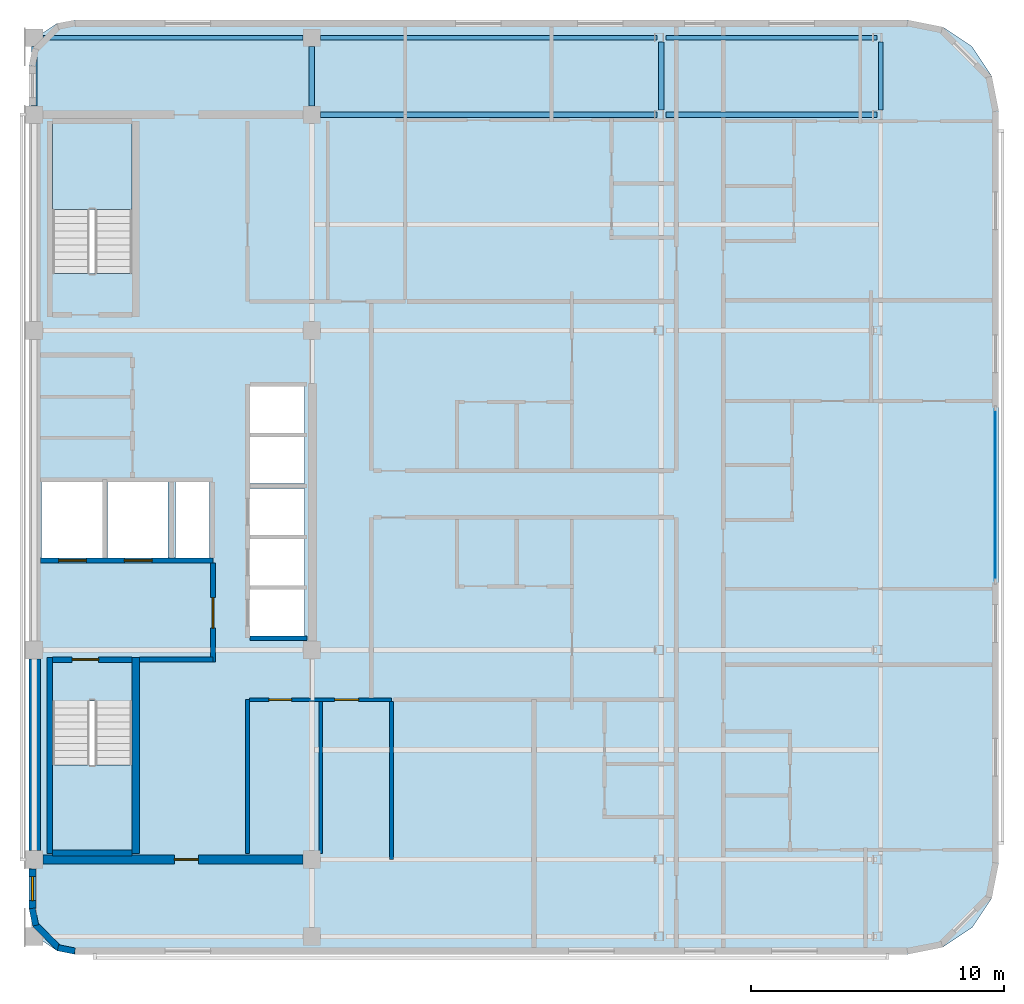
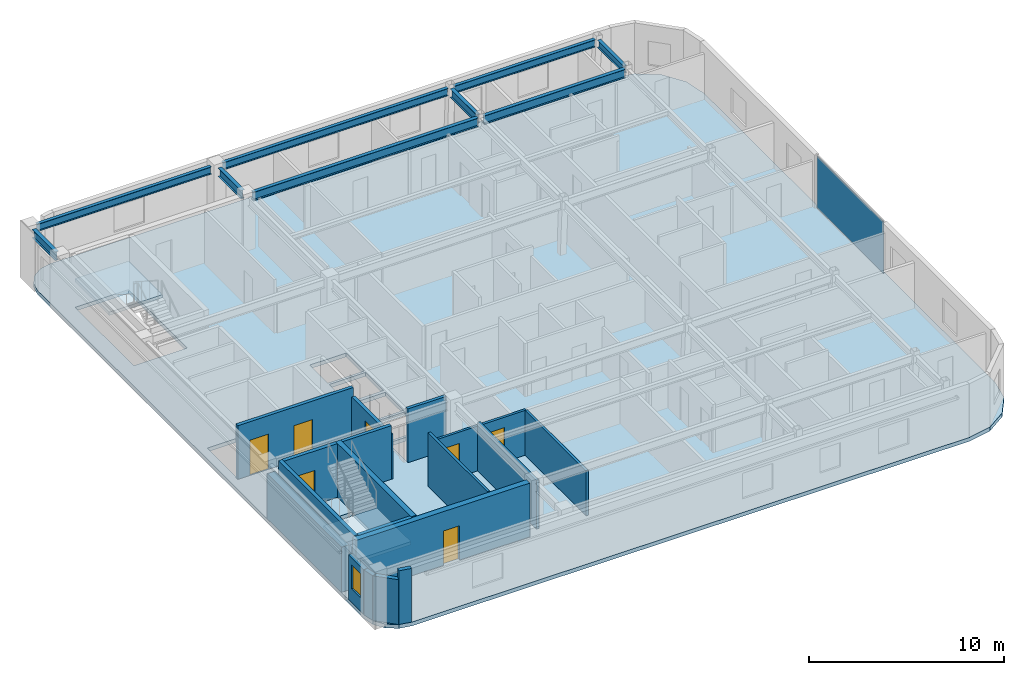
# One storey, part 3 of 10: 18 walls, 9 beams, 7 doors, 3 slabs, 1 plate, 1 window, 8 openings, 3 elements without a shape of their own.
"""IFC4 building model written with IfcOpenShell, lengths in metres."""

import ifcopenshell
import ifcopenshell.guid

model = None  # the IFC model being written
_history = None  # IfcOwnerHistory: only IFC2X3 demands one
_inside = {}  # id of a spatial element -> (the spatial element, [elements in it])
_under = {}  # id of a project, library or spatial element -> (it, [spatial elements below it])
_declared = {}  # id of a project -> (the project, [libraries it declares])
_typed = {}  # id of a type object -> (the type object, [elements of that type])
_made_of = {}  # id of a material, layer set ... -> (it, [elements and type objects made of it])


def new_model(schema):
    """Start an empty IFC model of exactly this schema.

    Asked for "IFC4X3", IfcOpenShell would pick the latest addendum, in which some entities
    have other attributes; the version numbers below select the first issue.
    IFC2X3 requires an IfcOwnerHistory on every rooted entity: one is made here for all.
    """
    global model, _history
    if schema == "IFC4X3":
        model = ifcopenshell.file(schema_version=(4, 3, 0, 0))
    else:
        model = ifcopenshell.file(schema=schema)
    _inside.clear()
    _under.clear()
    _declared.clear()
    _typed.clear()
    _made_of.clear()
    _history = None
    if model.schema == "IFC2X3":
        org = make("IfcOrganization", Name="unknown")
        user = make(
            "IfcPersonAndOrganization",
            ThePerson=make("IfcPerson", FamilyName="unknown"),
            TheOrganization=org,
        )
        app = make(
            "IfcApplication",
            ApplicationDeveloper=org,
            Version="unknown",
            ApplicationFullName="unknown",
            ApplicationIdentifier="unknown",
        )
        _history = make(
            "IfcOwnerHistory",
            OwningUser=user,
            OwningApplication=app,
            ChangeAction="ADDED",
            CreationDate=0,
        )
    return model


def make(cls, **values):
    """One entity of the class cls with the attributes given. An attribute that is None is left unset."""
    return model.create_entity(
        cls, **{name: value for name, value in values.items() if value is not None}
    )


def rooted(cls, **values):
    """An entity with a GlobalId (a new one), such as an element, a storey or a relation."""
    return make(cls, GlobalId=ifcopenshell.guid.new(), OwnerHistory=_history, **values)


def si_unit(unit_type, name, prefix=None):
    """IfcSIUnit, for example si_unit("LENGTHUNIT", "METRE", prefix="MILLI")."""
    return make("IfcSIUnit", UnitType=unit_type, Prefix=prefix, Name=name)


def assignment(units):
    """IfcUnitAssignment: the units of a project."""
    return None if units is None else make("IfcUnitAssignment", Units=units)


def point(xyz):
    """IfcCartesianPoint."""
    return None if xyz is None else make("IfcCartesianPoint", Coordinates=xyz)


def direction(xyz):
    """IfcDirection."""
    return None if xyz is None else make("IfcDirection", DirectionRatios=xyz)


def frame(location, z_axis=None, x_axis=None):
    """IfcAxis2Placement3D, a coordinate frame: its origin and axes. An axis left out is left unset."""
    return make(
        "IfcAxis2Placement3D",
        Location=point(location),
        Axis=direction(z_axis),
        RefDirection=direction(x_axis),
    )


def frame_2d(location, x_axis=None):
    """IfcAxis2Placement2D, a coordinate frame in the plane: its origin and x axis."""
    return make(
        "IfcAxis2Placement2D", Location=point(location), RefDirection=direction(x_axis)
    )


def origin():
    """The frame at (0, 0, 0) with its axes left unset."""
    return frame((0.0, 0.0, 0.0))


def origin_2d():
    """The frame at (0, 0) in the plane with its x axis left unset."""
    return frame_2d((0.0, 0.0))


def place(relative_to, where):
    """IfcLocalPlacement: puts the frame where relative to a parent placement (None: the world)."""
    return make(
        "IfcLocalPlacement", PlacementRelTo=relative_to, RelativePlacement=where
    )


def context(
    kind, dimensions, precision=None, world=None, true_north=None, identifier=None
):
    """IfcGeometricRepresentationContext, for example the 3D "Model" context."""
    return make(
        "IfcGeometricRepresentationContext",
        ContextIdentifier=identifier,
        ContextType=kind,
        CoordinateSpaceDimension=dimensions,
        Precision=precision,
        WorldCoordinateSystem=world,
        TrueNorth=true_north,
    )


def subcontext(parent, identifier, kind, view, scale=None):
    """IfcGeometricRepresentationSubContext, for example "Body" below "Model"."""
    return make(
        "IfcGeometricRepresentationSubContext",
        ContextIdentifier=identifier,
        ContextType=kind,
        ParentContext=parent,
        TargetScale=scale,
        TargetView=view,
    )


def project(units=None, contexts=None):
    """IfcProject with its units and contexts."""
    return rooted(
        "IfcProject",
        Name="project",
        RepresentationContexts=contexts,
        UnitsInContext=assignment(units),
    )


def spatial(cls, under=None, at=None, **own):
    """A site, building, storey or space (cls), placed at a placement, below another one or the project."""
    s = rooted(cls, ObjectPlacement=at, **own)
    if under is not None:
        _under.setdefault(under.id(), (under, []))[1].append(s)
    return s


def polyline(points):
    """IfcPolyline through the points."""
    return make("IfcPolyline", Points=[point(p) for p in points])


def profile(cls, at=None, kind="AREA", **sizes):
    """A parametric profile (cls). Its sizes go by their IFC names, for example OverallWidth=200.0."""
    return make(cls, ProfileType=kind, Position=at, **sizes)


def rectangle(**sizes):
    """IfcRectangleProfileDef."""
    return profile("IfcRectangleProfileDef", **sizes)


def i_section(**sizes):
    """IfcIShapeProfileDef."""
    return profile("IfcIShapeProfileDef", **sizes)


def outline(outer, holes=None, kind="AREA"):
    """IfcArbitraryClosedProfileDef: a profile drawn as a closed curve; with holes, ...WithVoids."""
    if holes is None:
        return make("IfcArbitraryClosedProfileDef", ProfileType=kind, OuterCurve=outer)
    return make(
        "IfcArbitraryProfileDefWithVoids",
        ProfileType=kind,
        OuterCurve=outer,
        InnerCurves=holes,
    )


def extrude(swept, where, along, depth):
    """IfcExtrudedAreaSolid: the profile swept, set in the frame where, extruded along a direction by depth."""
    return make(
        "IfcExtrudedAreaSolid",
        SweptArea=swept,
        Position=where,
        ExtrudedDirection=direction(along),
        Depth=depth,
    )


def shape(context_of_items, identifier, shape_type, items):
    """IfcShapeRepresentation: the items that make up one representation, for example the "Body"."""
    return make(
        "IfcShapeRepresentation",
        ContextOfItems=context_of_items,
        RepresentationIdentifier=identifier,
        RepresentationType=shape_type,
        Items=items,
    )


def material(Name=None, Category=None):
    """IfcMaterial."""
    return make("IfcMaterial", Name=Name, Category=Category)


def layer(
    of_material, thickness, ventilated=None, Name=None, Category=None, Priority=None
):
    """IfcMaterialLayer: one layer of a wall or slab, of a material (None: an air gap)."""
    return make(
        "IfcMaterialLayer",
        Material=of_material,
        LayerThickness=thickness,
        IsVentilated=ventilated,
        Name=Name,
        Category=Category,
        Priority=Priority,
    )


def layer_set(layers, Name=None):
    """IfcMaterialLayerSet."""
    return make("IfcMaterialLayerSet", MaterialLayers=layers, LayerSetName=Name)


def material_profile(
    of_material, cross_section, Name=None, Category=None, Priority=None
):
    """IfcMaterialProfile: a cross section and its material."""
    return make(
        "IfcMaterialProfile",
        Name=Name,
        Material=of_material,
        Profile=cross_section,
        Priority=Priority,
        Category=Category,
    )


def profile_set(profiles, Name=None, composite=None):
    """IfcMaterialProfileSet."""
    return make(
        "IfcMaterialProfileSet",
        Name=Name,
        MaterialProfiles=profiles,
        CompositeProfile=composite,
    )


def made_of(thing, what):
    """Note that an element or type object is made of a material, layer set ...; save() writes the relation."""
    if what is not None:
        _made_of.setdefault(what.id(), (what, []))[1].append(thing)
    return thing


def type_object(cls, material=None, **own):
    """A type object (cls), such as IfcWallType, which elements share."""
    return made_of(rooted(cls, **own), material)


def element(
    cls,
    number,
    at=None,
    inside=None,
    cuts=None,
    type_object=None,
    material=None,
    context=None,
    identifier="Body",
    shape_type=None,
    held_by="IfcProductDefinitionShape",
    body=None,
    shapes=None,
    **own,
):
    """One element of the class cls, such as IfcWall. Its Tag is "e" and its number.

    at: its placement. inside: the storey or other place that contains it. cuts: it is an
    opening in that element (IfcRelVoidsElement). A single representation is given by context,
    identifier, shape_type and body (its items); several are given by shapes. held_by: the class
    of the entity that holds the representations. save() writes the other relations.
    """
    e = rooted(cls, Tag="e%d" % number, ObjectPlacement=at, **own)
    if body is not None:
        shapes = [shape(context, identifier, shape_type, body)]
    if shapes is not None:
        e.Representation = make(held_by, Representations=shapes)
    if inside is not None:
        _inside.setdefault(inside.id(), (inside, []))[1].append(e)
    if cuts is not None:
        rooted(
            "IfcRelVoidsElement", RelatingBuildingElement=cuts, RelatedOpeningElement=e
        )
    if type_object is not None:
        _typed.setdefault(type_object.id(), (type_object, []))[1].append(e)
    return made_of(e, material)


def fill(opening, filler):
    """IfcRelFillsElement: the door or window that sits in an opening."""
    return rooted(
        "IfcRelFillsElement",
        RelatingOpeningElement=opening,
        RelatedBuildingElement=filler,
    )


def aggregate(whole, parts):
    """IfcRelAggregates: a whole, such as a stair, and the parts it consists of."""
    return rooted("IfcRelAggregates", RelatingObject=whole, RelatedObjects=parts)


def save(model, path):
    """Write the relations noted so far, then the file.

    IfcRelAggregates (storeys below a building ...), IfcRelContainedInSpatialStructure (elements
    in a storey), IfcRelDefinesByType, IfcRelAssociatesMaterial and IfcRelDeclares: one each for
    every whole, place, type object, material and project.
    """
    for whole, parts in _under.values():
        aggregate(whole, parts)
    for where, things in _inside.values():
        rooted(
            "IfcRelContainedInSpatialStructure",
            RelatedElements=things,
            RelatingStructure=where,
        )
    for kind, things in _typed.values():
        rooted("IfcRelDefinesByType", RelatedObjects=things, RelatingType=kind)
    for what, things in _made_of.values():
        rooted("IfcRelAssociatesMaterial", RelatedObjects=things, RelatingMaterial=what)
    for by, libraries in _declared.values():
        rooted("IfcRelDeclares", RelatingContext=by, RelatedDefinitions=libraries)
    model.write(path)


model = new_model("IFC4")

# Units and contexts
model_context = context("Model", 3, precision=1e-05, world=origin(), true_north=direction((0.0, 1.0)))
body_context = subcontext(model_context, "Body", "Model", "MODEL_VIEW")
ifc_project = project(units=[si_unit("LENGTHUNIT", "METRE"), si_unit("AREAUNIT", "SQUARE_METRE"), si_unit("VOLUMEUNIT", "CUBIC_METRE"), si_unit("PLANEANGLEUNIT", "RADIAN"), si_unit("MASSUNIT", "GRAM", prefix="KILO")], contexts=[model_context])

# Site, building, storey
site_placement = place(None, origin())
site = spatial("IfcSite", under=ifc_project, at=site_placement, CompositionType="ELEMENT")
building_placement = place(site_placement, origin())
building = spatial("IfcBuilding", under=site, at=building_placement, Name="Ochreholt Gables", CompositionType="ELEMENT")
storey_placement = place(building_placement, frame((0.0, 0.0, 256.800048828125)))
storey = spatial("IfcBuildingStorey", under=building, at=storey_placement, Name="L67", CompositionType="ELEMENT", Elevation=256.800048828125)

# Beams
ifc_material_1 = material(Name="Steel CSA G40.21 350W", Category="steel")
ifc_material_profile_1 = material_profile(ifc_material_1, i_section(OverallWidth=0.2109375, OverallDepth=0.5390625, WebThickness=0.01171875, FlangeThickness=0.018798828125, at=origin_2d()), Name="W530X109")
ifc_profile_set_1 = profile_set([ifc_material_profile_1], Name="Steel CSA G40.21 350W")
beam_type_1 = type_object("IfcBeamType", Name="BM-G-W530A", PredefinedType="BEAM", material=ifc_profile_set_1)
beam_1_placement = place(storey_placement, frame((35.549560546875, 38.75, 3.09033203125), z_axis=(1.0, 0.0, 0.0), x_axis=(0.0, 1.0, 0.0)))
element("IfcBeam", 1, at=beam_1_placement, inside=storey, type_object=beam_type_1, Name="L67 Beam TBG-L67-C2EM-Y5", PredefinedType="BEAM", context=body_context, shape_type="SweptSolid", body=[
    extrude(i_section(OverallWidth=0.2109375, OverallDepth=0.5390625, WebThickness=0.01171875, FlangeThickness=0.018798828125, at=origin_2d()), origin(), (0.0, 0.0, 1.0), 13.32275390625),
])
beam_2_placement = place(storey_placement, frame((49.2275390625, 38.75, 3.09033203125), z_axis=(1.0, 0.0, 0.0), x_axis=(0.0, 1.0, 0.0)))
element("IfcBeam", 2, at=beam_2_placement, inside=storey, type_object=beam_type_1, Name="L67 Beam TBG-L67-EMEE-Y5", PredefinedType="BEAM", context=body_context, shape_type="SweptSolid", body=[
    extrude(i_section(OverallWidth=0.2109375, OverallDepth=0.5390625, WebThickness=0.01171875, FlangeThickness=0.018798828125, at=origin_2d()), origin(), (0.0, 0.0, 1.0), 8.35498046875),
])
for number, where, z_axis, x_axis, name in (
    (3, (24.199951171875, 39.099609375, 3.09033203125), (0.0, 1.0, 0.0), (-1.0, 0.0, 0.0), "L67 Beam TBN-L67-C1-Y5Y6"),
    (4, (35.199951171875, 39.099609375, 3.09033203125), (0.0, 1.0, 0.0), (-1.0, 0.0, 0.0), "L67 Beam TBN-L67-C2-Y5Y6"),
):
    element("IfcBeam", number, at=place(storey_placement, frame(where, z_axis=z_axis, x_axis=x_axis)), inside=storey, type_object=beam_type_1, Name=name, PredefinedType="BEAM", context=body_context, shape_type="SweptSolid", body=[
        extrude(i_section(OverallWidth=0.2109375, OverallDepth=0.5390625, WebThickness=0.01171875, FlangeThickness=0.018798828125, at=origin_2d()), origin(), (0.0, 0.0, 1.0), 2.350830078125),
    ])
beam_3_placement = place(storey_placement, frame((49.03271484375, 38.927490234375, 3.09033203125), z_axis=(0.0, 1.0, 0.0), x_axis=(-1.0, 0.0, 0.0)))
element("IfcBeam", 5, at=beam_3_placement, inside=storey, type_object=beam_type_1, Name="L67 Beam TBN-L67-EM-Y5Y6", PredefinedType="BEAM", context=body_context, shape_type="SweptSolid", body=[
    extrude(i_section(OverallWidth=0.2109375, OverallDepth=0.5390625, WebThickness=0.01171875, FlangeThickness=0.018798828125, at=origin_2d()), origin(), (0.0, 0.0, 1.0), 2.69482421875),
])
ifc_material_profile_2 = material_profile(ifc_material_1, i_section(OverallWidth=0.19189453125, OverallDepth=0.462890625, WebThickness=0.010498046875, FlangeThickness=0.017578125, at=origin_2d()), Name="W460X89")
ifc_profile_set_2 = profile_set([ifc_material_profile_2], Name="Steel CSA G40.21 350W")
beam_type_2 = type_object("IfcBeamType", Name="BM-SP-W460A", PredefinedType="SPANDREL", material=ifc_profile_set_2)
beam_4_placement = place(storey_placement, frame((24.549560546875, 41.800048828125, 3.12841796875), z_axis=(1.0, 0.0, 0.0), x_axis=(0.0, 1.0, 0.0)))
element("IfcBeam", 6, at=beam_4_placement, inside=storey, type_object=beam_type_2, Name="L67 Beam TBG-L67-C1C2-Y6", PredefinedType="SPANDREL", context=body_context, shape_type="SweptSolid", body=[
    extrude(i_section(OverallWidth=0.19189453125, OverallDepth=0.462890625, WebThickness=0.010498046875, FlangeThickness=0.017578125, at=origin_2d()), origin(), (0.0, 0.0, 1.0), 10.30078125),
])
beam_5_placement = place(storey_placement, frame((35.549560546875, 41.800048828125, 3.12841796875), z_axis=(1.0, 0.0, 0.0), x_axis=(0.0, 1.0, 0.0)))
element("IfcBeam", 7, at=beam_5_placement, inside=storey, type_object=beam_type_2, Name="L67 Beam TBG-L67-C2EM-Y6", PredefinedType="SPANDREL", context=body_context, shape_type="SweptSolid", body=[
    extrude(i_section(OverallWidth=0.19189453125, OverallDepth=0.462890625, WebThickness=0.010498046875, FlangeThickness=0.017578125, at=origin_2d()), origin(), (0.0, 0.0, 1.0), 13.32275390625),
])
beam_6_placement = place(storey_placement, frame((49.2275390625, 41.800048828125, 3.12841796875), z_axis=(1.0, 0.0, 0.0), x_axis=(0.0, 1.0, 0.0)))
element("IfcBeam", 8, at=beam_6_placement, inside=storey, type_object=beam_type_2, Name="L67 Beam TBG-L67-EMEE-Y6", PredefinedType="SPANDREL", context=body_context, shape_type="SweptSolid", body=[
    extrude(i_section(OverallWidth=0.19189453125, OverallDepth=0.462890625, WebThickness=0.010498046875, FlangeThickness=0.017578125, at=origin_2d()), origin(), (0.0, 0.0, 1.0), 8.35498046875),
])
beam_7_placement = place(storey_placement, frame((57.731689453125, 38.927490234375, 3.12841796875), z_axis=(0.0, 1.0, 0.0), x_axis=(-1.0, 0.0, 0.0)))
element("IfcBeam", 9, at=beam_7_placement, inside=storey, type_object=beam_type_2, Name="L67 Beam TBN-L67-EE-Y5Y6", PredefinedType="SPANDREL", context=body_context, shape_type="SweptSolid", body=[
    extrude(i_section(OverallWidth=0.19189453125, OverallDepth=0.462890625, WebThickness=0.010498046875, FlangeThickness=0.017578125, at=origin_2d()), origin(), (0.0, 0.0, 1.0), 2.69482421875),
])

# Curtain wall, plate
ifc_material_2 = material(Name="Unitised Aluminium and Triple Glazing", Category="aluminium")
ifc_layer_1 = layer(ifc_material_2, 0.2099609375, Name="Unitised Aluminium and Triple Glazing")
ifc_layer_set_1 = layer_set([ifc_layer_1], Name="Unitised Aluminium and Triple Glazing")
curtain_wall_type = type_object("IfcCurtainWallType", Name="CW-SYS5", PredefinedType="NOTDEFINED", material=ifc_layer_set_1)
curtain_wall_placement = place(storey_placement, origin())
curtain_wall = element("IfcCurtainWall", 10, at=curtain_wall_placement, inside=storey, type_object=curtain_wall_type, Name="L67 East Unitised Curtain Wall", PredefinedType="NOTDEFINED")
ifc_material_3 = material(Name="Triple Low-E Insulating Glass", Category="glass")
ifc_layer_2 = layer(ifc_material_3, 0.0380859375, Name="Triple Low-E Insulating Glass")
ifc_layer_set_2 = layer_set([ifc_layer_2], Name="Triple Low-E Insulating Glass")
plate_type = type_object("IfcPlateType", Name="CW-PNL-38", PredefinedType="CURTAIN_PANEL", material=ifc_layer_set_2)
plate_placement = place(storey_placement, frame((62.264892578125, 23.692626953125, 0.074951171875), z_axis=(0.0, 0.0, 1.0), x_axis=(0.0, 1.0, 0.0)))
plate = element("IfcPlate", 11, at=plate_placement, type_object=plate_type, Name="CW-5 panel 1.1", PredefinedType="CURTAIN_PANEL", context=body_context, shape_type="SweptSolid", body=[
    extrude(rectangle(XDim=6.78466796875, YDim=0.0380859375, at=origin_2d()), origin(), (0.0, 0.0, 1.0), 3.2099609375),
])
aggregate(curtain_wall, [plate])

# Stair, slab
ifc_material_4 = material(Name="Concrete 40 MPa", Category="concrete")
stair_type_1 = type_object("IfcStairType", Name="STAIR-CORE-ST-1", PredefinedType="HALF_TURN_STAIR", material=ifc_material_4)
stair_1_placement = place(storey_placement, origin())
stair_1 = element("IfcStair", 12, at=stair_1_placement, inside=storey, type_object=stair_type_1, Name="L67 Core Exit Stair 1", PredefinedType="HALF_TURN_STAIR")
ifc_layer_3 = layer(ifc_material_4, 0.199951171875, Name="Concrete 40 MPa")
ifc_layer_set_3 = layer_set([ifc_layer_3], Name="Concrete 40 MPa")
slab_type_1 = type_object("IfcSlabType", Name="LANDING-RC200", PredefinedType="LANDING", material=ifc_layer_set_3)
slab_1_placement = place(storey_placement, frame((0.0, 0.0, 1.599853515625)))
slab_1 = element("IfcSlab", 13, at=slab_1_placement, type_object=slab_type_1, Name="ST-1 landing 1", PredefinedType="LANDING", context=body_context, shape_type="SweptSolid", body=[
    extrude(outline(polyline([(24.919921875, 13.001953125), (24.919921875, 9.52001953125), (28.080078125, 9.52001953125), (28.080078125, 13.001953125), (24.919921875, 13.001953125)])), origin(), (0.0, 0.0, 1.0), 0.2001953125),
])
aggregate(stair_1, [slab_1])

stair_type_2 = type_object("IfcStairType", Name="STAIR-CORE-ST-2", PredefinedType="HALF_TURN_STAIR", material=ifc_material_4)
stair_2_placement = place(storey_placement, origin())
stair_2 = element("IfcStair", 14, at=stair_2_placement, inside=storey, type_object=stair_type_2, Name="L67 Core Exit Stair 2", PredefinedType="HALF_TURN_STAIR")
slab_2_placement = place(storey_placement, frame((0.0, 0.0, 1.599853515625)))
slab_2 = element("IfcSlab", 15, at=slab_2_placement, type_object=slab_type_1, Name="ST-2 landing 1", PredefinedType="LANDING", context=body_context, shape_type="SweptSolid", body=[
    extrude(outline(polyline([(28.080078125, 34.998046875), (28.080078125, 38.47998046875), (24.919921875, 38.47998046875), (24.919921875, 34.998046875), (28.080078125, 34.998046875)])), origin(), (0.0, 0.0, 1.0), 0.2001953125),
])
aggregate(stair_2, [slab_2])

# Slab
ifc_layer_4 = layer(ifc_material_4, 0.239990234375, Name="Concrete 40 MPa")
ifc_layer_set_4 = layer_set([ifc_layer_4], Name="Concrete 40 MPa")
slab_type_2 = type_object("IfcSlabType", Name="SLAB-TWR-240", PredefinedType="FLOOR", material=ifc_layer_set_4)
slab_3_placement = place(storey_placement, frame((0.0, 0.0, -0.239990234375)))
element("IfcSlab", 16, at=slab_3_placement, inside=storey, type_object=slab_type_2, Name="L67 Structural Floor Slab", PredefinedType="FLOOR", context=body_context, shape_type="SweptSolid", body=[
    extrude(outline(polyline([(24.0, 7.300048828125), (24.136962890625, 6.611083984375), (24.527099609375, 6.027099609375), (25.111083984375, 5.636962890625), (25.800048828125, 5.5), (58.800048828125, 5.5), (60.177734375, 5.77392578125), (61.345703125, 6.554443359375), (62.1259765625, 7.722412109375), (62.39990234375, 9.10009765625), (62.39990234375, 38.89990234375), (62.1259765625, 40.277587890625), (61.345703125, 41.445556640625), (60.177734375, 42.22607421875), (58.800048828125, 42.5), (25.800048828125, 42.5), (25.111083984375, 42.363037109375), (24.527099609375, 41.972900390625), (24.136962890625, 41.388916015625), (24.0, 40.699951171875), (24.0, 7.300048828125)]), holes=[polyline([(24.919921875, 15.539306640625), (24.919921875, 9.52001953125), (28.080078125, 9.52001953125), (28.080078125, 15.539306640625), (24.919921875, 15.539306640625)]), polyline([(28.080078125, 32.460693359375), (28.080078125, 38.47998046875), (24.919921875, 38.47998046875), (24.919921875, 32.460693359375), (28.080078125, 32.460693359375)]), polyline([(24.5, 21.199951171875), (26.89990234375, 21.199951171875), (26.89990234375, 24.199951171875), (24.5, 24.199951171875), (24.5, 21.199951171875)]), polyline([(27.10009765625, 21.199951171875), (29.5, 21.199951171875), (29.5, 24.199951171875), (27.10009765625, 24.199951171875), (27.10009765625, 21.199951171875)]), polyline([(32.75, 18.10009765625), (34.89990234375, 18.10009765625), (34.89990234375, 19.949951171875), (32.75, 19.949951171875), (32.75, 18.10009765625)]), polyline([(32.75, 20.10009765625), (34.89990234375, 20.10009765625), (34.89990234375, 21.949951171875), (32.75, 21.949951171875), (32.75, 20.10009765625)]), polyline([(32.75, 22.10009765625), (34.89990234375, 22.10009765625), (34.89990234375, 23.949951171875), (32.75, 23.949951171875), (32.75, 22.10009765625)]), polyline([(32.75, 24.14990234375), (34.89990234375, 24.14990234375), (34.89990234375, 26.0), (32.75, 26.0), (32.75, 24.14990234375)]), polyline([(32.75, 26.14990234375), (34.89990234375, 26.14990234375), (34.89990234375, 28.0), (32.75, 28.0), (32.75, 26.14990234375)]), polyline([(29.800048828125, 21.199951171875), (31.14990234375, 21.199951171875), (31.14990234375, 24.199951171875), (29.800048828125, 24.199951171875), (29.800048828125, 21.199951171875)])]), origin(), (0.0, 0.0, 1.0), 0.239990234375),
])

# Wall, opening, door
ifc_material_5 = material(Name="Concrete 50 MPa", Category="concrete")
ifc_layer_5 = layer(ifc_material_5, 0.35009765625, Name="Concrete 50 MPa")
ifc_layer_set_5 = layer_set([ifc_layer_5], Name="Concrete 50 MPa")
wall_type_1 = type_object("IfcWallType", Name="WALL-CSW-350", PredefinedType="SHEAR", material=ifc_layer_set_5)
wall_1_placement = place(storey_placement, frame((24.550048828125, 9.25, 0.0), z_axis=(0.0, 0.0, 1.0), x_axis=(1.0, 0.0, 0.0)))
wall_1 = element("IfcWall", 17, at=wall_1_placement, inside=storey, type_object=wall_type_1, Name="L67 Core South Shear Wall", PredefinedType="SHEAR", context=body_context, shape_type="SweptSolid", body=[
    extrude(rectangle(XDim=10.300048828125, YDim=0.35009765625, at=frame_2d((5.14990234375, 0.0))), origin(), (0.0, 0.0, 1.0), 3.35986328125),
])
opening_1_placement = place(wall_1_placement, frame((5.199951171875, 0.0, 0.0)))
opening_1 = element("IfcOpeningElement", 18, at=opening_1_placement, cuts=wall_1, Name="Opening D-FL2", PredefinedType="OPENING", context=body_context, shape_type="SweptSolid", body=[
    extrude(rectangle(XDim=0.949951171875, YDim=2.14990234375, at=frame_2d((0.47509765625, 1.074951171875))), frame((0.0, 0.18505859375, 0.0), z_axis=(0.0, -1.0, 0.0), x_axis=(1.0, 0.0, 0.0)), (0.0, 0.0, 1.0), 0.3701171875),
])
ifc_material_6 = material(Name="Hollow Metal Steel", Category="steel")
door_type_1 = type_object("IfcDoorType", Name="DR-INT-FLB950", OperationType="NOTDEFINED", PredefinedType="DOOR", material=ifc_material_6)
door_1_placement = place(opening_1_placement, frame((0.949951171875, 0.0, 0.0), z_axis=(0.0, 0.0, 1.0), x_axis=(-1.0, 0.0, 0.0)))
door_1 = element("IfcDoor", 19, at=door_1_placement, inside=storey, type_object=door_type_1, Name="L67 Door D-C3SSL-L67", OperationType="SINGLE_SWING_LEFT", OverallHeight=2.14990234375, OverallWidth=0.949951171875, PredefinedType="DOOR", context=body_context, shape_type="SweptSolid", body=[
    extrude(rectangle(XDim=0.949951171875, YDim=2.14990234375, at=frame_2d((0.47509765625, 1.074951171875))), frame((0.0, 0.02490234375, 0.0), z_axis=(0.0, -1.0, 0.0), x_axis=(1.0, 0.0, 0.0)), (0.0, 0.0, 1.0), 0.050048828125),
])
fill(opening_1, door_1)

# Wall
ifc_layer_6 = layer(ifc_material_5, 0.449951171875, Name="Concrete 50 MPa")
ifc_layer_set_6 = layer_set([ifc_layer_6], Name="Concrete 50 MPa")
wall_type_2 = type_object("IfcWallType", Name="WALL-CSW-EXT", PredefinedType="SHEAR", material=ifc_layer_set_6)
wall_2_placement = place(storey_placement, frame((24.22509765625, 9.60009765625, 0.0), z_axis=(0.0, 0.0, 1.0), x_axis=(0.0, 1.0, 0.0)))
element("IfcWall", 20, at=wall_2_placement, inside=storey, type_object=wall_type_2, Name="L67 Core West Shear Wall WS", PredefinedType="SHEAR", context=body_context, shape_type="SweptSolid", body=[
    extrude(rectangle(XDim=7.599853515625, YDim=0.449951171875, at=frame_2d((3.7998046875, 0.0))), origin(), (0.0, 0.0, 1.0), 2.821044921875),
])

# Wall, opening, window
ifc_material_7 = material(Name="Precast concrete 40 MPa", Category="concrete")
ifc_layer_7 = layer(ifc_material_7, 0.27001953125, Name="Precast concrete 40 MPa")
ifc_layer_set_7 = layer_set([ifc_layer_7], Name="Precast concrete 40 MPa")
wall_type_3 = type_object("IfcWallType", Name="WALL-EXT-270", PredefinedType="SOLIDWALL", material=ifc_layer_set_7)
wall_3_placement = place(storey_placement, frame((24.135009765625, 7.320068359375, 0.0), z_axis=(0.0, 0.0, 1.0), x_axis=(0.0, 1.0, 0.0)))
wall_3 = element("IfcWall", 21, at=wall_3_placement, inside=storey, type_object=wall_type_3, Name="L67 West Facade South Bay Wall", PredefinedType="SOLIDWALL", context=body_context, shape_type="SweptSolid", body=[
    extrude(rectangle(XDim=1.559814453125, YDim=0.27001953125, at=frame_2d((0.77978515625, 0.0))), origin(), (0.0, 0.0, 1.0), 2.802978515625),
])
opening_2_placement = place(wall_3_placement, frame((0.304931640625, 0.0, 0.85009765625)))
opening_2 = element("IfcOpeningElement", 22, at=opening_2_placement, cuts=wall_3, Name="Opening WN-10", PredefinedType="OPENING", context=body_context, shape_type="SweptSolid", body=[
    extrude(rectangle(XDim=0.949951171875, YDim=1.5, at=frame_2d((0.47509765625, 0.75))), frame((0.0, 0.14501953125, 0.0), z_axis=(0.0, -1.0, 0.0), x_axis=(1.0, 0.0, 0.0)), (0.0, 0.0, 1.0), 0.2900390625),
])
ifc_material_8 = material(Name="Triple-Glazed Thermally Broken Aluminium Window", Category="aluminium")
window_type = type_object("IfcWindowType", Name="WIN-RES-950", PartitioningType="SINGLE_PANEL", PredefinedType="WINDOW", material=ifc_material_8)
window_placement = place(opening_2_placement, origin())
window = element("IfcWindow", 23, at=window_placement, inside=storey, type_object=window_type, Name="L67 South Sky Lounge West Window", OverallHeight=1.5, OverallWidth=0.949951171875, PartitioningType="SINGLE_PANEL", PredefinedType="WINDOW", context=body_context, shape_type="SweptSolid", body=[
    extrude(rectangle(XDim=0.949951171875, YDim=1.5, at=frame_2d((0.47509765625, 0.75))), frame((0.0, 0.030029296875, 0.0), z_axis=(0.0, -1.0, 0.0), x_axis=(1.0, 0.0, 0.0)), (0.0, 0.0, 1.0), 0.06005859375),
])
fill(opening_2, window)

# Walls
ifc_layer_8 = layer(ifc_material_7, 0.25, Name="Precast concrete 40 MPa")
ifc_layer_set_8 = layer_set([ifc_layer_8], Name="Precast concrete 40 MPa")
wall_type_4 = type_object("IfcWallType", Name="WALL-EXT-CNR", PredefinedType="SOLIDWALL", material=ifc_layer_set_8)
wall_4_placement = place(storey_placement, frame((24.124267578125, 7.31640625, 0.0), z_axis=(0.0, 0.0, 1.0), x_axis=(0.194952956674, -0.980812594069, 0.0)))
element("IfcWall", 24, at=wall_4_placement, inside=storey, type_object=wall_type_4, Name="L67 Rounded Corner Wall SW-1", PredefinedType="SOLIDWALL", context=body_context, shape_type="SweptSolid", body=[
    extrude(rectangle(XDim=0.686279296875, YDim=0.25, at=frame_2d((0.34326171875, 0.0))), origin(), (0.0, 0.0, 1.0), 2.802978515625),
])
wall_5_placement = place(storey_placement, frame((24.23095703125, 6.69384765625, 0.0), z_axis=(0.0, 0.0, 1.0), x_axis=(0.707106781187, -0.707106781187, 0.0)))
element("IfcWall", 25, at=wall_5_placement, inside=storey, type_object=wall_type_4, Name="L67 Rounded Corner Wall SW-2", PredefinedType="SOLIDWALL", context=body_context, shape_type="SweptSolid", body=[
    extrude(rectangle(XDim=1.36181640625, YDim=0.25, at=frame_2d((0.680908203125, 0.0))), origin(), (0.0, 0.0, 1.0), 2.802978515625),
])
wall_6_placement = place(storey_placement, frame((25.143310546875, 5.758056640625, 0.0), z_axis=(0.0, 0.0, 1.0), x_axis=(0.980812594069, -0.194952956674, 0.0)))
element("IfcWall", 26, at=wall_6_placement, inside=storey, type_object=wall_type_4, Name="L67 Rounded Corner Wall SW-3", PredefinedType="SOLIDWALL", context=body_context, shape_type="SweptSolid", body=[
    extrude(rectangle(XDim=0.686279296875, YDim=0.25, at=frame_2d((0.34326171875, 0.0))), origin(), (0.0, 0.0, 1.0), 3.35986328125),
])

# Wall, openings, doors
ifc_layer_9 = layer(ifc_material_4, 0.199951171875, Name="Concrete 40 MPa")
ifc_layer_set_9 = layer_set([ifc_layer_9], Name="Concrete 40 MPa")
wall_type_5 = type_object("IfcWallType", Name="WALL-INT-CF200", PredefinedType="STANDARD", material=ifc_layer_set_9)
wall_7_placement = place(storey_placement, frame((24.449951171875, 21.090087890625, 0.0), z_axis=(0.0, 0.0, 1.0), x_axis=(1.0, 0.0, 0.0)))
wall_7 = element("IfcWall", 27, at=wall_7_placement, inside=storey, type_object=wall_type_5, Name="L67 Interior Wall WI-FFN-L67", PredefinedType="STANDARD", context=body_context, shape_type="SweptSolid", body=[
    extrude(rectangle(XDim=6.830078125, YDim=0.199951171875, at=frame_2d((3.4150390625, 0.0))), origin(), (0.0, 0.0, 1.0), 3.35986328125),
])
opening_3_placement = place(wall_7_placement, frame((0.719970703125, 0.0, 0.0)))
opening_3 = element("IfcOpeningElement", 28, at=opening_3_placement, cuts=wall_7, Name="Opening LD-FF", PredefinedType="OPENING", context=body_context, shape_type="SweptSolid", body=[
    extrude(rectangle(XDim=1.10009765625, YDim=2.199951171875, at=frame_2d((0.550048828125, 1.10009765625))), frame((0.0, 0.10986328125, 0.0), z_axis=(0.0, -1.0, 0.0), x_axis=(1.0, 0.0, 0.0)), (0.0, 0.0, 1.0), 0.219970703125),
])
opening_4_placement = place(wall_7_placement, frame((3.320068359375, 0.0, 0.0)))
opening_4 = element("IfcOpeningElement", 29, at=opening_4_placement, cuts=wall_7, Name="Opening LD-FF", PredefinedType="OPENING", context=body_context, shape_type="SweptSolid", body=[
    extrude(rectangle(XDim=1.10009765625, YDim=2.199951171875, at=frame_2d((0.550048828125, 1.10009765625))), frame((0.0, 0.10986328125, 0.0), z_axis=(0.0, -1.0, 0.0), x_axis=(1.0, 0.0, 0.0)), (0.0, 0.0, 1.0), 0.219970703125),
])
ifc_material_9 = material(Name="Stainless Steel", Category="steel")
door_type_2 = type_object("IfcDoorType", Name="DR-LFT-FF1100", OperationType="NOTDEFINED", PredefinedType="DOOR", material=ifc_material_9)
door_2_placement = place(opening_3_placement, origin())
door_2 = element("IfcDoor", 30, at=door_2_placement, inside=storey, type_object=door_type_2, Name="L67 Door LD-FF1-L67", OperationType="SLIDING_TO_LEFT", OverallHeight=2.199951171875, OverallWidth=1.10009765625, PredefinedType="DOOR", context=body_context, shape_type="SweptSolid", body=[
    extrude(rectangle(XDim=1.10009765625, YDim=2.199951171875, at=frame_2d((0.550048828125, 1.10009765625))), frame((0.0, 0.02490234375, 0.0), z_axis=(0.0, -1.0, 0.0), x_axis=(1.0, 0.0, 0.0)), (0.0, 0.0, 1.0), 0.050048828125),
])
fill(opening_3, door_2)
door_3_placement = place(opening_4_placement, origin())
door_3 = element("IfcDoor", 31, at=door_3_placement, inside=storey, type_object=door_type_2, Name="L67 Door LD-FF2-L67", OperationType="SLIDING_TO_LEFT", OverallHeight=2.199951171875, OverallWidth=1.10009765625, PredefinedType="DOOR", context=body_context, shape_type="SweptSolid", body=[
    extrude(rectangle(XDim=1.10009765625, YDim=2.199951171875, at=frame_2d((0.550048828125, 1.10009765625))), frame((0.0, 0.02490234375, 0.0), z_axis=(0.0, -1.0, 0.0), x_axis=(1.0, 0.0, 0.0)), (0.0, 0.0, 1.0), 0.050048828125),
])
fill(opening_4, door_3)

# Wall
wall_8_placement = place(storey_placement, frame((28.3798828125, 17.169921875, 0.0), z_axis=(0.0, 0.0, 1.0), x_axis=(1.0, 0.0, 0.0)))
element("IfcWall", 32, at=wall_8_placement, inside=storey, type_object=wall_type_5, Name="L67 Interior Wall WI-FFS-L67", PredefinedType="STANDARD", context=body_context, shape_type="SweptSolid", body=[
    extrude(rectangle(XDim=2.900146484375, YDim=0.199951171875, at=frame_2d((1.4501953125, 0.0))), origin(), (0.0, 0.0, 1.0), 3.35986328125),
])

# Wall, opening, door
wall_9_placement = place(storey_placement, frame((31.280029296875, 17.070068359375, 0.0), z_axis=(0.0, 0.0, 1.0), x_axis=(0.0, 1.0, 0.0)))
wall_9 = element("IfcWall", 33, at=wall_9_placement, inside=storey, type_object=wall_type_5, Name="L67 Interior Wall WI-FFE-L67", PredefinedType="STANDARD", context=body_context, shape_type="SweptSolid", body=[
    extrude(rectangle(XDim=3.919921875, YDim=0.199951171875, at=frame_2d((1.9599609375, 0.0))), origin(), (0.0, 0.0, 1.0), 2.802978515625),
])
opening_5_placement = place(wall_9_placement, frame((1.35009765625, 0.0, 0.0)))
opening_5 = element("IfcOpeningElement", 34, at=opening_5_placement, cuts=wall_9, Name="Opening D-FFL", PredefinedType="OPENING", context=body_context, shape_type="SweptSolid", body=[
    extrude(rectangle(XDim=1.199951171875, YDim=2.14990234375, at=frame_2d((0.60009765625, 1.074951171875))), frame((0.0, 0.10986328125, 0.0), z_axis=(0.0, -1.0, 0.0), x_axis=(1.0, 0.0, 0.0)), (0.0, 0.0, 1.0), 0.219970703125),
])
door_type_3 = type_object("IfcDoorType", Name="DR-INT-FFL1200", OperationType="NOTDEFINED", PredefinedType="DOOR", material=ifc_material_6)
door_4_placement = place(opening_5_placement, origin())
door_4 = element("IfcDoor", 35, at=door_4_placement, inside=storey, type_object=door_type_3, Name="L67 Door D-FFL-L67", OperationType="SINGLE_SWING_LEFT", OverallHeight=2.14990234375, OverallWidth=1.199951171875, PredefinedType="DOOR", context=body_context, shape_type="SweptSolid", body=[
    extrude(rectangle(XDim=1.199951171875, YDim=2.14990234375, at=frame_2d((0.60009765625, 1.074951171875))), frame((0.0, 0.02490234375, 0.0), z_axis=(0.0, -1.0, 0.0), x_axis=(1.0, 0.0, 0.0)), (0.0, 0.0, 1.0), 0.050048828125),
])
fill(opening_5, door_4)

# Wall
ifc_material_10 = material(Name="Lightweight Stud Partition", Category="gypsum")
ifc_layer_10 = layer(ifc_material_10, 0.14501953125, Name="Lightweight Stud Partition")
ifc_layer_set_10 = layer_set([ifc_layer_10], Name="Lightweight Stud Partition")
wall_type_6 = type_object("IfcWallType", Name="WALL-INT-PT145", PredefinedType="PARTITIONING", material=ifc_layer_set_10)
wall_10_placement = place(storey_placement, frame((32.64990234375, 9.5, 0.0), z_axis=(0.0, 0.0, 1.0), x_axis=(0.0, 1.0, 0.0)))
element("IfcWall", 36, at=wall_10_placement, inside=storey, type_object=wall_type_6, Name="L67 Interior Wall WI-RCL-W-L67", PredefinedType="PARTITIONING", context=body_context, shape_type="SweptSolid", body=[
    extrude(rectangle(XDim=6.080078125, YDim=0.14501953125, at=frame_2d((3.0400390625, 0.0))), origin(), (0.0, 0.0, 1.0), 3.35986328125),
])

# Wall, openings, doors
wall_11_placement = place(storey_placement, frame((32.722412109375, 15.580078125, 0.0), z_axis=(0.0, 0.0, 1.0), x_axis=(1.0, 0.0, 0.0)))
wall_11 = element("IfcWall", 37, at=wall_11_placement, inside=storey, type_object=wall_type_6, Name="L67 Interior Wall WI-RCL-N-L67", PredefinedType="PARTITIONING", context=body_context, shape_type="SweptSolid", body=[
    extrude(rectangle(XDim=5.627685546875, YDim=0.14501953125, at=frame_2d((2.81396484375, 0.0))), origin(), (0.0, 0.0, 1.0), 2.802978515625),
])
opening_6_placement = place(wall_11_placement, frame((0.777587890625, 0.0, 0.0)))
opening_6 = element("IfcOpeningElement", 38, at=opening_6_placement, cuts=wall_11, Name="Opening D-SV1", PredefinedType="OPENING", context=body_context, shape_type="SweptSolid", body=[
    extrude(rectangle(XDim=0.89990234375, YDim=2.10009765625, at=frame_2d((0.449951171875, 1.050048828125))), frame((0.0, 0.08251953125, 0.0), z_axis=(0.0, -1.0, 0.0), x_axis=(1.0, 0.0, 0.0)), (0.0, 0.0, 1.0), 0.1650390625),
])
opening_7_placement = place(wall_11_placement, frame((3.37744140625, 0.0, 0.0)))
opening_7 = element("IfcOpeningElement", 39, at=opening_7_placement, cuts=wall_11, Name="Opening D-GN1", PredefinedType="OPENING", context=body_context, shape_type="SweptSolid", body=[
    extrude(rectangle(XDim=0.949951171875, YDim=2.14990234375, at=frame_2d((0.47509765625, 1.074951171875))), frame((0.0, 0.08251953125, 0.0), z_axis=(0.0, -1.0, 0.0), x_axis=(1.0, 0.0, 0.0)), (0.0, 0.0, 1.0), 0.1650390625),
])
ifc_material_11 = material(Name="Engineered Oak Timber", Category="wood")
door_type_4 = type_object("IfcDoorType", Name="DR-INT-GEN950", OperationType="NOTDEFINED", PredefinedType="DOOR", material=ifc_material_11)
door_5_placement = place(opening_7_placement, origin())
door_5 = element("IfcDoor", 40, at=door_5_placement, inside=storey, type_object=door_type_4, Name="L67 Door D-RCL2-L67", OperationType="SINGLE_SWING_RIGHT", OverallHeight=2.14990234375, OverallWidth=0.949951171875, PredefinedType="DOOR", context=body_context, shape_type="SweptSolid", body=[
    extrude(rectangle(XDim=0.949951171875, YDim=2.14990234375, at=frame_2d((0.47509765625, 1.074951171875))), frame((0.0, 0.02490234375, 0.0), z_axis=(0.0, -1.0, 0.0), x_axis=(1.0, 0.0, 0.0)), (0.0, 0.0, 1.0), 0.050048828125),
])
fill(opening_7, door_5)
door_type_5 = type_object("IfcDoorType", Name="DR-INT-SRV900", OperationType="NOTDEFINED", PredefinedType="DOOR", material=ifc_material_6)
door_6_placement = place(opening_6_placement, origin())
door_6 = element("IfcDoor", 41, at=door_6_placement, inside=storey, type_object=door_type_5, Name="L67 Door D-RCL1-L67", OperationType="SINGLE_SWING_LEFT", OverallHeight=2.10009765625, OverallWidth=0.89990234375, PredefinedType="DOOR", context=body_context, shape_type="SweptSolid", body=[
    extrude(rectangle(XDim=0.89990234375, YDim=2.10009765625, at=frame_2d((0.449951171875, 1.050048828125))), frame((0.0, 0.02490234375, 0.0), z_axis=(0.0, -1.0, 0.0), x_axis=(1.0, 0.0, 0.0)), (0.0, 0.0, 1.0), 0.050048828125),
])
fill(opening_6, door_6)

# Walls
wall_12_placement = place(storey_placement, frame((38.35009765625, 9.25, 0.0), z_axis=(0.0, 0.0, 1.0), x_axis=(0.0, 1.0, 0.0)))
element("IfcWall", 42, at=wall_12_placement, inside=storey, type_object=wall_type_6, Name="L67 Interior Wall WI-RCL-E-L67", PredefinedType="PARTITIONING", context=body_context, shape_type="SweptSolid", body=[
    extrude(rectangle(XDim=6.257568359375, YDim=0.14501953125, at=frame_2d((3.12890625, 0.0))), origin(), (0.0, 0.0, 1.0), 2.802978515625),
])
wall_13_placement = place(storey_placement, frame((35.550048828125, 9.5, 0.0), z_axis=(0.0, 0.0, 1.0), x_axis=(0.0, 1.0, 0.0)))
element("IfcWall", 43, at=wall_13_placement, inside=storey, type_object=wall_type_6, Name="L67 Interior Wall WI-RCL-DV-L67", PredefinedType="PARTITIONING", context=body_context, shape_type="SweptSolid", body=[
    extrude(rectangle(XDim=6.007568359375, YDim=0.14501953125, at=frame_2d((3.00390625, 0.0))), origin(), (0.0, 0.0, 1.0), 3.0390625),
])
ifc_material_12 = material(Name="Gypsum Shaftliner and Steel Stud", Category="steel")
ifc_layer_11 = layer(ifc_material_12, 0.179931640625, Name="Gypsum Shaftliner and Steel Stud")
ifc_layer_set_11 = layer_set([ifc_layer_11], Name="Gypsum Shaftliner and Steel Stud")
wall_type_7 = type_object("IfcWallType", Name="WALL-INT-SH180", PredefinedType="STANDARD", material=ifc_layer_set_11)
wall_14_placement = place(storey_placement, frame((32.739990234375, 18.02001953125, 0.0), z_axis=(0.0, 0.0, 1.0), x_axis=(1.0, 0.0, 0.0)))
element("IfcWall", 44, at=wall_14_placement, inside=storey, type_object=wall_type_7, Name="L67 Interior Wall WI-LFHE-S-L67", PredefinedType="STANDARD", context=body_context, shape_type="SweptSolid", body=[
    extrude(rectangle(XDim=2.260009765625, YDim=0.179931640625, at=frame_2d((1.1298828125, 0.0))), origin(), (0.0, 0.0, 1.0), 3.35986328125),
])
ifc_material_13 = material(Name="Concrete 60 MPa", Category="concrete")
ifc_layer_12 = layer(ifc_material_13, 0.300048828125, Name="Concrete 60 MPa")
ifc_layer_set_12 = layer_set([ifc_layer_12], Name="Concrete 60 MPa")
wall_type_8 = type_object("IfcWallType", Name="WALL-SPN-300", PredefinedType="SHEAR", material=ifc_layer_set_12)
wall_15_placement = place(storey_placement, frame((28.22998046875, 9.5, 0.0), z_axis=(0.0, 0.0, 1.0), x_axis=(0.0, 1.0, 0.0)))
element("IfcWall", 45, at=wall_15_placement, inside=storey, type_object=wall_type_8, Name="L67 Core South Spine Shear Wall", PredefinedType="SHEAR", context=body_context, shape_type="SweptSolid", body=[
    extrude(rectangle(XDim=7.760009765625, YDim=0.300048828125, at=frame_2d((3.8798828125, 0.0))), origin(), (0.0, 0.0, 1.0), 3.35986328125),
])
ifc_layer_13 = layer(ifc_material_5, 0.219970703125, Name="Concrete 50 MPa")
ifc_layer_set_13 = layer_set([ifc_layer_13], Name="Concrete 50 MPa")
wall_type_9 = type_object("IfcWallType", Name="WALL-STW-220", PredefinedType="SHEAR", material=ifc_layer_set_13)
wall_16_placement = place(storey_placement, frame((24.81005859375, 9.5, 0.0), z_axis=(0.0, 0.0, 1.0), x_axis=(0.0, 1.0, 0.0)))
element("IfcWall", 46, at=wall_16_placement, inside=storey, type_object=wall_type_9, Name="L67 Exit Stair 1 West Wall", PredefinedType="SHEAR", context=body_context, shape_type="SweptSolid", body=[
    extrude(rectangle(XDim=7.760009765625, YDim=0.219970703125, at=frame_2d((3.8798828125, 0.0))), origin(), (0.0, 0.0, 1.0), 3.35986328125),
])
wall_17_placement = place(storey_placement, frame((24.919921875, 9.510009765625, 0.0), z_axis=(0.0, 0.0, 1.0), x_axis=(1.0, 0.0, 0.0)))
element("IfcWall", 47, at=wall_17_placement, inside=storey, type_object=wall_type_9, Name="L67 Exit Stair 1 South Wall", PredefinedType="SHEAR", context=body_context, shape_type="SweptSolid", body=[
    extrude(rectangle(XDim=3.16015625, YDim=0.219970703125, at=frame_2d((1.580078125, 0.0))), origin(), (0.0, 0.0, 1.0), 3.35986328125),
])

# Wall, opening, door
wall_18_placement = place(storey_placement, frame((24.919921875, 17.169921875, 0.0), z_axis=(0.0, 0.0, 1.0), x_axis=(1.0, 0.0, 0.0)))
wall_18 = element("IfcWall", 48, at=wall_18_placement, inside=storey, type_object=wall_type_9, Name="L67 Exit Stair 1 North Wall", PredefinedType="SHEAR", context=body_context, shape_type="SweptSolid", body=[
    extrude(rectangle(XDim=3.16015625, YDim=0.219970703125, at=frame_2d((1.580078125, 0.0))), origin(), (0.0, 0.0, 1.0), 3.35986328125),
])
opening_8_placement = place(wall_18_placement, frame((0.780029296875, 0.0, 0.0)))
opening_8 = element("IfcOpeningElement", 49, at=opening_8_placement, cuts=wall_18, Name="Opening D-STC", PredefinedType="OPENING", context=body_context, shape_type="SweptSolid", body=[
    extrude(rectangle(XDim=1.050048828125, YDim=2.14990234375, at=frame_2d((0.52490234375, 1.074951171875))), frame((0.0, 0.119873046875, 0.0), z_axis=(0.0, -1.0, 0.0), x_axis=(1.0, 0.0, 0.0)), (0.0, 0.0, 1.0), 0.239990234375),
])
door_type_6 = type_object("IfcDoorType", Name="DR-INT-ST1050", OperationType="NOTDEFINED", PredefinedType="DOOR", material=ifc_material_6)
door_7_placement = place(opening_8_placement, frame((1.050048828125, 0.0, 0.0), z_axis=(0.0, 0.0, 1.0), x_axis=(-1.0, 0.0, 0.0)))
door_7 = element("IfcDoor", 50, at=door_7_placement, inside=storey, type_object=door_type_6, Name="L67 Door D-ST1-L67", OperationType="SINGLE_SWING_LEFT", OverallHeight=2.14990234375, OverallWidth=1.050048828125, PredefinedType="DOOR", context=body_context, shape_type="SweptSolid", body=[
    extrude(rectangle(XDim=1.050048828125, YDim=2.14990234375, at=frame_2d((0.52490234375, 1.074951171875))), frame((0.0, 0.02490234375, 0.0), z_axis=(0.0, -1.0, 0.0), x_axis=(1.0, 0.0, 0.0)), (0.0, 0.0, 1.0), 0.050048828125),
])
fill(opening_8, door_7)

save(model, "model.ifc")
